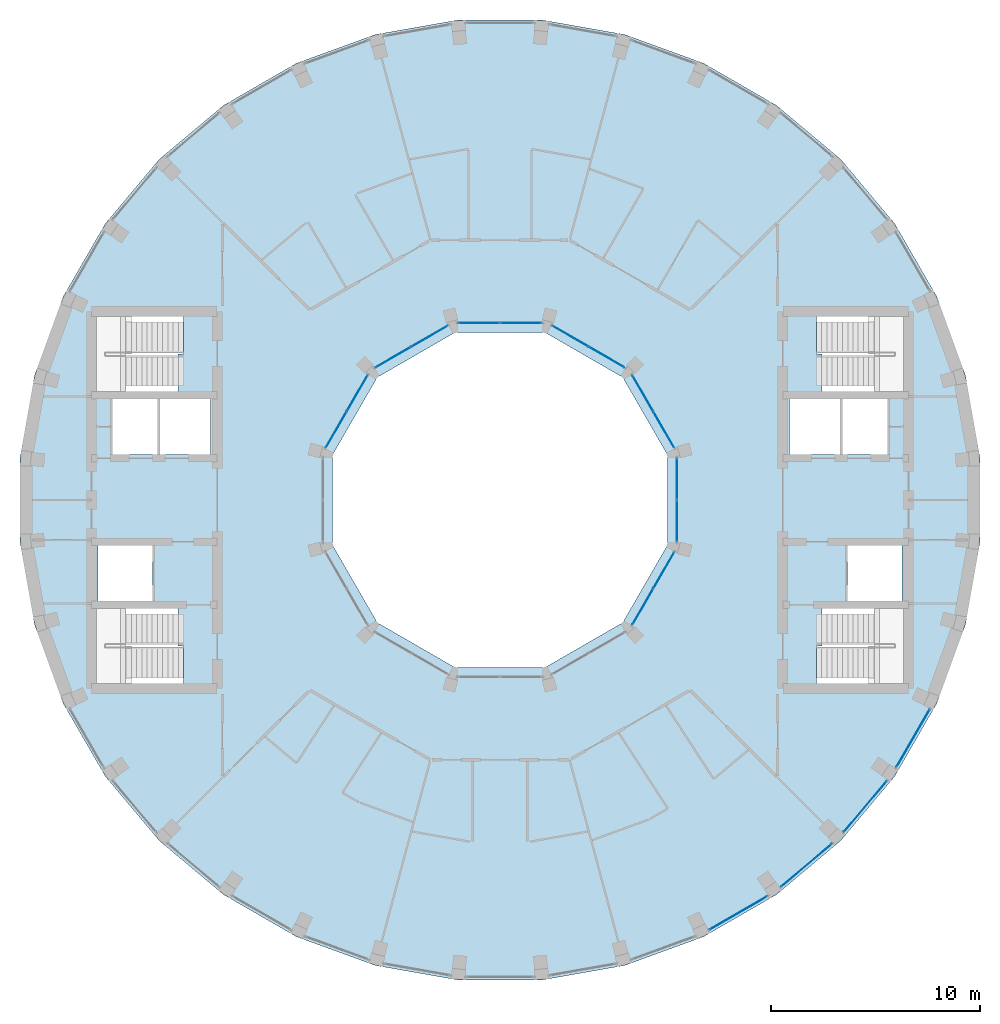
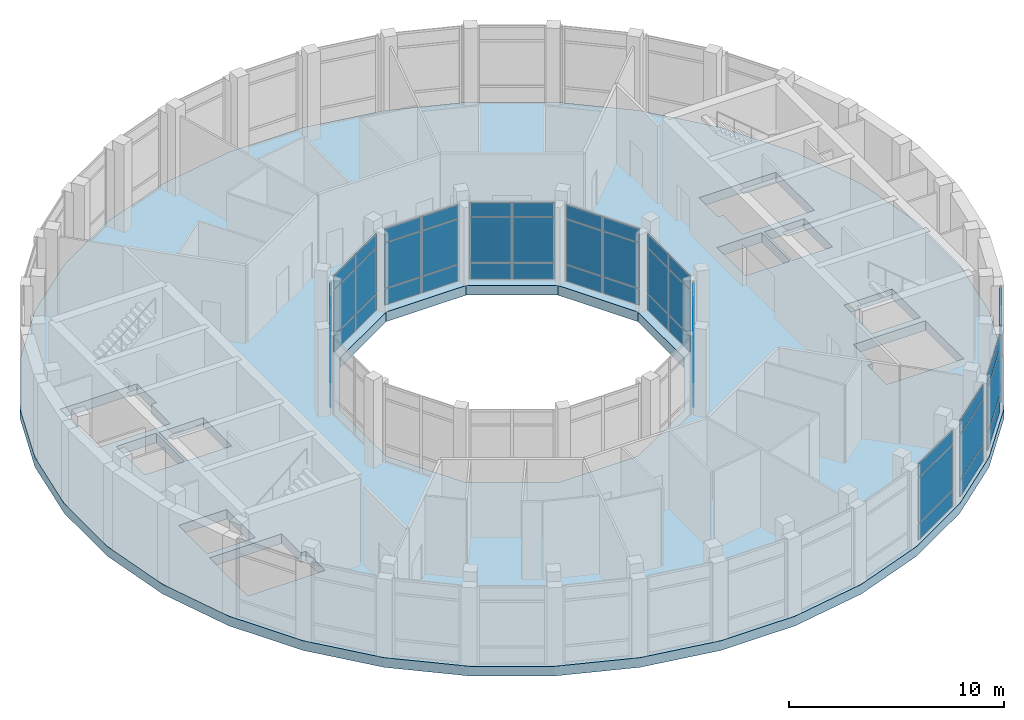
# One storey, part 9 of 16: 54 plates, 1 slab, 11 elements without a shape of their own.
"""IFC4 building model written with IfcOpenShell, lengths in metres."""

from ifc_helpers import new_model, si_unit, direction, frame, origin, origin_2d, place, context, subcontext, project, spatial, polyline, rectangle, outline, extrude, material, layer, layer_set, type_object, element, aggregate, save


model = new_model("IFC4")

# Units and contexts
model_context = context("Model", 3, precision=1e-05, world=origin(), true_north=direction((0.0, 1.0)))
body_context = subcontext(model_context, "Body", "Model", "MODEL_VIEW")
ifc_project = project(units=[si_unit("LENGTHUNIT", "METRE"), si_unit("AREAUNIT", "SQUARE_METRE"), si_unit("VOLUMEUNIT", "CUBIC_METRE"), si_unit("PLANEANGLEUNIT", "RADIAN"), si_unit("MASSUNIT", "GRAM", prefix="KILO")], contexts=[model_context])

# Site, building, storey
site_placement = place(None, origin())
site = spatial("IfcSite", under=ifc_project, at=site_placement, CompositionType="ELEMENT")
building_placement = place(site_placement, origin())
building = spatial("IfcBuilding", under=site, at=building_placement, Name="Saqina Gate Tower", CompositionType="ELEMENT")
storey_placement = place(building_placement, frame((0.0, 0.0, 279.199951171875)))
storey = spatial("IfcBuildingStorey", under=building, at=storey_placement, Name="L80", CompositionType="ELEMENT", Elevation=279.199951171875)

# Curtain wall, plates
ifc_material_1 = material(Name="Aluminium glazing", Category="aluminium")
ifc_layer_1 = layer(ifc_material_1, 0.159912109375)
ifc_layer_set_1 = layer_set([ifc_layer_1], Name="CWT-2")
curtain_wall_type_1 = type_object("IfcCurtainWallType", Name="CWT-2", PredefinedType="NOTDEFINED", material=ifc_layer_set_1)
curtain_wall_1_placement = place(storey_placement, origin())
curtain_wall_1 = element("IfcCurtainWall", 1, at=curtain_wall_1_placement, inside=storey, type_object=curtain_wall_type_1, Name="Sky lounge glazing facet 30", PredefinedType="NOTDEFINED")
ifc_material_2 = material(Name="Glass", Category="glass")
ifc_layer_2 = layer(ifc_material_2, 0.028076171875)
ifc_layer_set_2 = layer_set([ifc_layer_2], Name="CWT-2P")
plate_type_1 = type_object("IfcPlateType", Name="CWT-2P", PredefinedType="CURTAIN_PANEL", material=ifc_layer_set_2)
plate_1_placement = place(storey_placement, frame((11.38134765625, -19.712890625, 0.06005859375), z_axis=(0.0, 0.0, 1.0), x_axis=(0.8660355365, 0.499982449212, 0.0)))
plate_1 = element("IfcPlate", 2, at=plate_1_placement, type_object=plate_type_1, Name="CW2-30 panel 1.1", PredefinedType="CURTAIN_PANEL", context=body_context, shape_type="SweptSolid", body=[
    extrude(rectangle(XDim=3.1318359375, YDim=0.028076171875, at=origin_2d()), origin(), (0.0, 0.0, 1.0), 0.909912109375),
])
plate_2_placement = place(storey_placement, frame((11.38134765625, -19.712890625, 1.030029296875), z_axis=(0.0, 0.0, 1.0), x_axis=(0.8660355365, 0.499982449212, 0.0)))
plate_2 = element("IfcPlate", 3, at=plate_2_placement, type_object=plate_type_1, Name="CW2-30 panel 1.2", PredefinedType="CURTAIN_PANEL", context=body_context, shape_type="SweptSolid", body=[
    extrude(rectangle(XDim=3.1318359375, YDim=0.028076171875, at=origin_2d()), origin(), (0.0, 0.0, 1.0), 2.5400390625),
])
plate_3_placement = place(storey_placement, frame((11.38134765625, -19.712890625, 3.6298828125), z_axis=(0.0, 0.0, 1.0), x_axis=(0.8660355365, 0.499982449212, 0.0)))
plate_3 = element("IfcPlate", 4, at=plate_3_placement, type_object=plate_type_1, Name="CW2-30 panel 1.3", PredefinedType="CURTAIN_PANEL", context=body_context, shape_type="SweptSolid", body=[
    extrude(rectangle(XDim=3.1318359375, YDim=0.028076171875, at=origin_2d()), origin(), (0.0, 0.0, 1.0), 0.760009765625),
])
aggregate(curtain_wall_1, [plate_1, plate_2, plate_3])

curtain_wall_2_placement = place(storey_placement, origin())
curtain_wall_2 = element("IfcCurtainWall", 5, at=curtain_wall_2_placement, inside=storey, type_object=curtain_wall_type_1, Name="Sky lounge glazing facet 31", PredefinedType="NOTDEFINED")
plate_4_placement = place(storey_placement, frame((14.63134765625, -17.43701171875, 0.06005859375), z_axis=(0.0, 0.0, 1.0), x_axis=(0.766046452821, 0.642785214609, 0.0)))
plate_4 = element("IfcPlate", 6, at=plate_4_placement, type_object=plate_type_1, Name="CW2-31 panel 1.1", PredefinedType="CURTAIN_PANEL", context=body_context, shape_type="SweptSolid", body=[
    extrude(rectangle(XDim=3.131591796875, YDim=0.028076171875, at=origin_2d()), origin(), (0.0, 0.0, 1.0), 0.909912109375),
])
plate_5_placement = place(storey_placement, frame((14.63134765625, -17.43701171875, 1.030029296875), z_axis=(0.0, 0.0, 1.0), x_axis=(0.766046452821, 0.642785214609, 0.0)))
plate_5 = element("IfcPlate", 7, at=plate_5_placement, type_object=plate_type_1, Name="CW2-31 panel 1.2", PredefinedType="CURTAIN_PANEL", context=body_context, shape_type="SweptSolid", body=[
    extrude(rectangle(XDim=3.131591796875, YDim=0.028076171875, at=origin_2d()), origin(), (0.0, 0.0, 1.0), 2.5400390625),
])
plate_6_placement = place(storey_placement, frame((14.63134765625, -17.43701171875, 3.6298828125), z_axis=(0.0, 0.0, 1.0), x_axis=(0.766046452821, 0.642785214609, 0.0)))
plate_6 = element("IfcPlate", 8, at=plate_6_placement, type_object=plate_type_1, Name="CW2-31 panel 1.3", PredefinedType="CURTAIN_PANEL", context=body_context, shape_type="SweptSolid", body=[
    extrude(rectangle(XDim=3.131591796875, YDim=0.028076171875, at=origin_2d()), origin(), (0.0, 0.0, 1.0), 0.760009765625),
])
aggregate(curtain_wall_2, [plate_4, plate_5, plate_6])

curtain_wall_3_placement = place(storey_placement, origin())
curtain_wall_3 = element("IfcCurtainWall", 9, at=curtain_wall_3_placement, inside=storey, type_object=curtain_wall_type_1, Name="Sky lounge glazing facet 32", PredefinedType="NOTDEFINED")
plate_7_placement = place(storey_placement, frame((17.43701171875, -14.63134765625, 0.06005859375), z_axis=(0.0, 0.0, 1.0), x_axis=(0.642785214609, 0.766046452821, 0.0)))
plate_7 = element("IfcPlate", 10, at=plate_7_placement, type_object=plate_type_1, Name="CW2-32 panel 1.1", PredefinedType="CURTAIN_PANEL", context=body_context, shape_type="SweptSolid", body=[
    extrude(rectangle(XDim=3.131591796875, YDim=0.028076171875, at=origin_2d()), origin(), (0.0, 0.0, 1.0), 0.909912109375),
])
plate_8_placement = place(storey_placement, frame((17.43701171875, -14.63134765625, 1.030029296875), z_axis=(0.0, 0.0, 1.0), x_axis=(0.642785214609, 0.766046452821, 0.0)))
plate_8 = element("IfcPlate", 11, at=plate_8_placement, type_object=plate_type_1, Name="CW2-32 panel 1.2", PredefinedType="CURTAIN_PANEL", context=body_context, shape_type="SweptSolid", body=[
    extrude(rectangle(XDim=3.131591796875, YDim=0.028076171875, at=origin_2d()), origin(), (0.0, 0.0, 1.0), 2.5400390625),
])
plate_9_placement = place(storey_placement, frame((17.43701171875, -14.63134765625, 3.6298828125), z_axis=(0.0, 0.0, 1.0), x_axis=(0.642785214609, 0.766046452821, 0.0)))
plate_9 = element("IfcPlate", 12, at=plate_9_placement, type_object=plate_type_1, Name="CW2-32 panel 1.3", PredefinedType="CURTAIN_PANEL", context=body_context, shape_type="SweptSolid", body=[
    extrude(rectangle(XDim=3.131591796875, YDim=0.028076171875, at=origin_2d()), origin(), (0.0, 0.0, 1.0), 0.760009765625),
])
aggregate(curtain_wall_3, [plate_7, plate_8, plate_9])

curtain_wall_4_placement = place(storey_placement, origin())
curtain_wall_4 = element("IfcCurtainWall", 13, at=curtain_wall_4_placement, inside=storey, type_object=curtain_wall_type_1, Name="Sky lounge glazing facet 33", PredefinedType="NOTDEFINED")
plate_10_placement = place(storey_placement, frame((19.712890625, -11.38134765625, 0.06005859375), z_axis=(0.0, 0.0, 1.0), x_axis=(0.499982449212, 0.8660355365, 0.0)))
plate_10 = element("IfcPlate", 14, at=plate_10_placement, type_object=plate_type_1, Name="CW2-33 panel 1.1", PredefinedType="CURTAIN_PANEL", context=body_context, shape_type="SweptSolid", body=[
    extrude(rectangle(XDim=3.1318359375, YDim=0.028076171875, at=origin_2d()), origin(), (0.0, 0.0, 1.0), 0.909912109375),
])
plate_11_placement = place(storey_placement, frame((19.712890625, -11.38134765625, 1.030029296875), z_axis=(0.0, 0.0, 1.0), x_axis=(0.499982449212, 0.8660355365, 0.0)))
plate_11 = element("IfcPlate", 15, at=plate_11_placement, type_object=plate_type_1, Name="CW2-33 panel 1.2", PredefinedType="CURTAIN_PANEL", context=body_context, shape_type="SweptSolid", body=[
    extrude(rectangle(XDim=3.1318359375, YDim=0.028076171875, at=origin_2d()), origin(), (0.0, 0.0, 1.0), 2.5400390625),
])
plate_12_placement = place(storey_placement, frame((19.712890625, -11.38134765625, 3.6298828125), z_axis=(0.0, 0.0, 1.0), x_axis=(0.499982449212, 0.8660355365, 0.0)))
plate_12 = element("IfcPlate", 16, at=plate_12_placement, type_object=plate_type_1, Name="CW2-33 panel 1.3", PredefinedType="CURTAIN_PANEL", context=body_context, shape_type="SweptSolid", body=[
    extrude(rectangle(XDim=3.1318359375, YDim=0.028076171875, at=origin_2d()), origin(), (0.0, 0.0, 1.0), 0.760009765625),
])
aggregate(curtain_wall_4, [plate_10, plate_11, plate_12])

ifc_material_3 = material(Name="Aluminium glazing", Category="aluminium")
ifc_layer_3 = layer(ifc_material_3, 0.159912109375)
ifc_layer_set_3 = layer_set([ifc_layer_3], Name="CWT-3")
curtain_wall_type_2 = type_object("IfcCurtainWallType", Name="CWT-3", PredefinedType="NOTDEFINED", material=ifc_layer_set_3)
curtain_wall_5_placement = place(storey_placement, origin())
curtain_wall_5 = element("IfcCurtainWall", 17, at=curtain_wall_5_placement, inside=storey, type_object=curtain_wall_type_2, Name="Sky lounge well glazing L80 facet 1", PredefinedType="NOTDEFINED")
ifc_material_4 = material(Name="Glass", Category="glass")
ifc_layer_4 = layer(ifc_material_4, 0.028076171875)
ifc_layer_set_4 = layer_set([ifc_layer_4], Name="CWT-3P")
plate_type_2 = type_object("IfcPlateType", Name="CWT-3P", PredefinedType="CURTAIN_PANEL", material=ifc_layer_set_4)
plate_13_placement = place(storey_placement, frame((7.81787109375, 3.359130859375, 0.06005859375), z_axis=(0.0, 0.0, 1.0), x_axis=(-0.500002550729, 0.866023931115, 0.0)))
plate_13 = element("IfcPlate", 18, at=plate_13_placement, type_object=plate_type_2, Name="CW3-01 panel 1.1", PredefinedType="CURTAIN_PANEL", context=body_context, shape_type="SweptSolid", body=[
    extrude(rectangle(XDim=1.939453125, YDim=0.028076171875, at=origin_2d()), origin(), (0.0, 0.0, 1.0), 0.909912109375),
])
plate_14_placement = place(storey_placement, frame((7.81787109375, 3.359130859375, 1.030029296875), z_axis=(0.0, 0.0, 1.0), x_axis=(-0.500002550729, 0.866023931115, 0.0)))
plate_14 = element("IfcPlate", 19, at=plate_14_placement, type_object=plate_type_2, Name="CW3-01 panel 1.2", PredefinedType="CURTAIN_PANEL", context=body_context, shape_type="SweptSolid", body=[
    extrude(rectangle(XDim=1.939453125, YDim=0.028076171875, at=origin_2d()), origin(), (0.0, 0.0, 1.0), 2.5400390625),
])
plate_15_placement = place(storey_placement, frame((7.81787109375, 3.359130859375, 3.6298828125), z_axis=(0.0, 0.0, 1.0), x_axis=(-0.500002550729, 0.866023931115, 0.0)))
plate_15 = element("IfcPlate", 20, at=plate_15_placement, type_object=plate_type_2, Name="CW3-01 panel 1.3", PredefinedType="CURTAIN_PANEL", context=body_context, shape_type="SweptSolid", body=[
    extrude(rectangle(XDim=1.939453125, YDim=0.028076171875, at=origin_2d()), origin(), (0.0, 0.0, 1.0), 0.760009765625),
])
plate_16_placement = place(storey_placement, frame((6.818115234375, 5.0908203125, 0.06005859375), z_axis=(0.0, 0.0, 1.0), x_axis=(-0.500002550729, 0.866023931115, 0.0)))
plate_16 = element("IfcPlate", 21, at=plate_16_placement, type_object=plate_type_2, Name="CW3-01 panel 2.1", PredefinedType="CURTAIN_PANEL", context=body_context, shape_type="SweptSolid", body=[
    extrude(rectangle(XDim=1.939453125, YDim=0.028076171875, at=origin_2d()), origin(), (0.0, 0.0, 1.0), 0.909912109375),
])
plate_17_placement = place(storey_placement, frame((6.818115234375, 5.0908203125, 1.030029296875), z_axis=(0.0, 0.0, 1.0), x_axis=(-0.500002550729, 0.866023931115, 0.0)))
plate_17 = element("IfcPlate", 22, at=plate_17_placement, type_object=plate_type_2, Name="CW3-01 panel 2.2", PredefinedType="CURTAIN_PANEL", context=body_context, shape_type="SweptSolid", body=[
    extrude(rectangle(XDim=1.939453125, YDim=0.028076171875, at=origin_2d()), origin(), (0.0, 0.0, 1.0), 2.5400390625),
])
plate_18_placement = place(storey_placement, frame((6.818115234375, 5.0908203125, 3.6298828125), z_axis=(0.0, 0.0, 1.0), x_axis=(-0.500002550729, 0.866023931115, 0.0)))
plate_18 = element("IfcPlate", 23, at=plate_18_placement, type_object=plate_type_2, Name="CW3-01 panel 2.3", PredefinedType="CURTAIN_PANEL", context=body_context, shape_type="SweptSolid", body=[
    extrude(rectangle(XDim=1.939453125, YDim=0.028076171875, at=origin_2d()), origin(), (0.0, 0.0, 1.0), 0.760009765625),
])
aggregate(curtain_wall_5, [plate_13, plate_14, plate_15, plate_16, plate_17, plate_18])

curtain_wall_6_placement = place(storey_placement, origin())
curtain_wall_6 = element("IfcCurtainWall", 24, at=curtain_wall_6_placement, inside=storey, type_object=curtain_wall_type_2, Name="Sky lounge well glazing L80 facet 2", PredefinedType="NOTDEFINED")
plate_19_placement = place(storey_placement, frame((5.0908203125, 6.818115234375, 0.06005859375), z_axis=(0.0, 0.0, 1.0), x_axis=(-0.866023931115, 0.500002550729, 0.0)))
plate_19 = element("IfcPlate", 25, at=plate_19_placement, type_object=plate_type_2, Name="CW3-02 panel 1.1", PredefinedType="CURTAIN_PANEL", context=body_context, shape_type="SweptSolid", body=[
    extrude(rectangle(XDim=1.939453125, YDim=0.028076171875, at=origin_2d()), origin(), (0.0, 0.0, 1.0), 0.909912109375),
])
plate_20_placement = place(storey_placement, frame((5.0908203125, 6.818115234375, 1.030029296875), z_axis=(0.0, 0.0, 1.0), x_axis=(-0.866023931115, 0.500002550729, 0.0)))
plate_20 = element("IfcPlate", 26, at=plate_20_placement, type_object=plate_type_2, Name="CW3-02 panel 1.2", PredefinedType="CURTAIN_PANEL", context=body_context, shape_type="SweptSolid", body=[
    extrude(rectangle(XDim=1.939453125, YDim=0.028076171875, at=origin_2d()), origin(), (0.0, 0.0, 1.0), 2.5400390625),
])
plate_21_placement = place(storey_placement, frame((5.0908203125, 6.818115234375, 3.6298828125), z_axis=(0.0, 0.0, 1.0), x_axis=(-0.866023931115, 0.500002550729, 0.0)))
plate_21 = element("IfcPlate", 27, at=plate_21_placement, type_object=plate_type_2, Name="CW3-02 panel 1.3", PredefinedType="CURTAIN_PANEL", context=body_context, shape_type="SweptSolid", body=[
    extrude(rectangle(XDim=1.939453125, YDim=0.028076171875, at=origin_2d()), origin(), (0.0, 0.0, 1.0), 0.760009765625),
])
plate_22_placement = place(storey_placement, frame((3.359130859375, 7.81787109375, 0.06005859375), z_axis=(0.0, 0.0, 1.0), x_axis=(-0.866023931115, 0.500002550729, 0.0)))
plate_22 = element("IfcPlate", 28, at=plate_22_placement, type_object=plate_type_2, Name="CW3-02 panel 2.1", PredefinedType="CURTAIN_PANEL", context=body_context, shape_type="SweptSolid", body=[
    extrude(rectangle(XDim=1.939453125, YDim=0.028076171875, at=origin_2d()), origin(), (0.0, 0.0, 1.0), 0.909912109375),
])
plate_23_placement = place(storey_placement, frame((3.359130859375, 7.81787109375, 1.030029296875), z_axis=(0.0, 0.0, 1.0), x_axis=(-0.866023931115, 0.500002550729, 0.0)))
plate_23 = element("IfcPlate", 29, at=plate_23_placement, type_object=plate_type_2, Name="CW3-02 panel 2.2", PredefinedType="CURTAIN_PANEL", context=body_context, shape_type="SweptSolid", body=[
    extrude(rectangle(XDim=1.939453125, YDim=0.028076171875, at=origin_2d()), origin(), (0.0, 0.0, 1.0), 2.5400390625),
])
plate_24_placement = place(storey_placement, frame((3.359130859375, 7.81787109375, 3.6298828125), z_axis=(0.0, 0.0, 1.0), x_axis=(-0.866023931115, 0.500002550729, 0.0)))
plate_24 = element("IfcPlate", 30, at=plate_24_placement, type_object=plate_type_2, Name="CW3-02 panel 2.3", PredefinedType="CURTAIN_PANEL", context=body_context, shape_type="SweptSolid", body=[
    extrude(rectangle(XDim=1.939453125, YDim=0.028076171875, at=origin_2d()), origin(), (0.0, 0.0, 1.0), 0.760009765625),
])
aggregate(curtain_wall_6, [plate_19, plate_20, plate_21, plate_22, plate_23, plate_24])

curtain_wall_7_placement = place(storey_placement, origin())
curtain_wall_7 = element("IfcCurtainWall", 31, at=curtain_wall_7_placement, inside=storey, type_object=curtain_wall_type_2, Name="Sky lounge well glazing L80 facet 3", PredefinedType="NOTDEFINED")
plate_25_placement = place(storey_placement, frame((0.999755859375, 8.449951171875, 0.06005859375), z_axis=(0.0, 0.0, 1.0), x_axis=(-1.0, 0.0, 0.0)))
plate_25 = element("IfcPlate", 32, at=plate_25_placement, type_object=plate_type_2, Name="CW3-03 panel 1.1", PredefinedType="CURTAIN_PANEL", context=body_context, shape_type="SweptSolid", body=[
    extrude(rectangle(XDim=1.939453125, YDim=0.028076171875, at=origin_2d()), origin(), (0.0, 0.0, 1.0), 0.909912109375),
])
plate_26_placement = place(storey_placement, frame((0.999755859375, 8.449951171875, 1.030029296875), z_axis=(0.0, 0.0, 1.0), x_axis=(-1.0, 0.0, 0.0)))
plate_26 = element("IfcPlate", 33, at=plate_26_placement, type_object=plate_type_2, Name="CW3-03 panel 1.2", PredefinedType="CURTAIN_PANEL", context=body_context, shape_type="SweptSolid", body=[
    extrude(rectangle(XDim=1.939453125, YDim=0.028076171875, at=origin_2d()), origin(), (0.0, 0.0, 1.0), 2.5400390625),
])
plate_27_placement = place(storey_placement, frame((0.999755859375, 8.449951171875, 3.6298828125), z_axis=(0.0, 0.0, 1.0), x_axis=(-1.0, 0.0, 0.0)))
plate_27 = element("IfcPlate", 34, at=plate_27_placement, type_object=plate_type_2, Name="CW3-03 panel 1.3", PredefinedType="CURTAIN_PANEL", context=body_context, shape_type="SweptSolid", body=[
    extrude(rectangle(XDim=1.939453125, YDim=0.028076171875, at=origin_2d()), origin(), (0.0, 0.0, 1.0), 0.760009765625),
])
plate_28_placement = place(storey_placement, frame((-0.999755859375, 8.449951171875, 0.06005859375), z_axis=(0.0, 0.0, 1.0), x_axis=(-1.0, 0.0, 0.0)))
plate_28 = element("IfcPlate", 35, at=plate_28_placement, type_object=plate_type_2, Name="CW3-03 panel 2.1", PredefinedType="CURTAIN_PANEL", context=body_context, shape_type="SweptSolid", body=[
    extrude(rectangle(XDim=1.939453125, YDim=0.028076171875, at=origin_2d()), origin(), (0.0, 0.0, 1.0), 0.909912109375),
])
plate_29_placement = place(storey_placement, frame((-0.999755859375, 8.449951171875, 1.030029296875), z_axis=(0.0, 0.0, 1.0), x_axis=(-1.0, 0.0, 0.0)))
plate_29 = element("IfcPlate", 36, at=plate_29_placement, type_object=plate_type_2, Name="CW3-03 panel 2.2", PredefinedType="CURTAIN_PANEL", context=body_context, shape_type="SweptSolid", body=[
    extrude(rectangle(XDim=1.939453125, YDim=0.028076171875, at=origin_2d()), origin(), (0.0, 0.0, 1.0), 2.5400390625),
])
plate_30_placement = place(storey_placement, frame((-0.999755859375, 8.449951171875, 3.6298828125), z_axis=(0.0, 0.0, 1.0), x_axis=(-1.0, 0.0, 0.0)))
plate_30 = element("IfcPlate", 37, at=plate_30_placement, type_object=plate_type_2, Name="CW3-03 panel 2.3", PredefinedType="CURTAIN_PANEL", context=body_context, shape_type="SweptSolid", body=[
    extrude(rectangle(XDim=1.939453125, YDim=0.028076171875, at=origin_2d()), origin(), (0.0, 0.0, 1.0), 0.760009765625),
])
aggregate(curtain_wall_7, [plate_25, plate_26, plate_27, plate_28, plate_29, plate_30])

curtain_wall_8_placement = place(storey_placement, origin())
curtain_wall_8 = element("IfcCurtainWall", 38, at=curtain_wall_8_placement, inside=storey, type_object=curtain_wall_type_2, Name="Sky lounge well glazing L80 facet 4", PredefinedType="NOTDEFINED")
plate_31_placement = place(storey_placement, frame((-3.359130859375, 7.81787109375, 0.06005859375), z_axis=(0.0, 0.0, 1.0), x_axis=(-0.866023931115, -0.500002550729, 0.0)))
plate_31 = element("IfcPlate", 39, at=plate_31_placement, type_object=plate_type_2, Name="CW3-04 panel 1.1", PredefinedType="CURTAIN_PANEL", context=body_context, shape_type="SweptSolid", body=[
    extrude(rectangle(XDim=1.939453125, YDim=0.028076171875, at=origin_2d()), origin(), (0.0, 0.0, 1.0), 0.909912109375),
])
plate_32_placement = place(storey_placement, frame((-3.359130859375, 7.81787109375, 1.030029296875), z_axis=(0.0, 0.0, 1.0), x_axis=(-0.866023931115, -0.500002550729, 0.0)))
plate_32 = element("IfcPlate", 40, at=plate_32_placement, type_object=plate_type_2, Name="CW3-04 panel 1.2", PredefinedType="CURTAIN_PANEL", context=body_context, shape_type="SweptSolid", body=[
    extrude(rectangle(XDim=1.939453125, YDim=0.028076171875, at=origin_2d()), origin(), (0.0, 0.0, 1.0), 2.5400390625),
])
plate_33_placement = place(storey_placement, frame((-3.359130859375, 7.81787109375, 3.6298828125), z_axis=(0.0, 0.0, 1.0), x_axis=(-0.866023931115, -0.500002550729, 0.0)))
plate_33 = element("IfcPlate", 41, at=plate_33_placement, type_object=plate_type_2, Name="CW3-04 panel 1.3", PredefinedType="CURTAIN_PANEL", context=body_context, shape_type="SweptSolid", body=[
    extrude(rectangle(XDim=1.939453125, YDim=0.028076171875, at=origin_2d()), origin(), (0.0, 0.0, 1.0), 0.760009765625),
])
plate_34_placement = place(storey_placement, frame((-5.0908203125, 6.818115234375, 0.06005859375), z_axis=(0.0, 0.0, 1.0), x_axis=(-0.866023931115, -0.500002550729, 0.0)))
plate_34 = element("IfcPlate", 42, at=plate_34_placement, type_object=plate_type_2, Name="CW3-04 panel 2.1", PredefinedType="CURTAIN_PANEL", context=body_context, shape_type="SweptSolid", body=[
    extrude(rectangle(XDim=1.939453125, YDim=0.028076171875, at=origin_2d()), origin(), (0.0, 0.0, 1.0), 0.909912109375),
])
plate_35_placement = place(storey_placement, frame((-5.0908203125, 6.818115234375, 1.030029296875), z_axis=(0.0, 0.0, 1.0), x_axis=(-0.866023931115, -0.500002550729, 0.0)))
plate_35 = element("IfcPlate", 43, at=plate_35_placement, type_object=plate_type_2, Name="CW3-04 panel 2.2", PredefinedType="CURTAIN_PANEL", context=body_context, shape_type="SweptSolid", body=[
    extrude(rectangle(XDim=1.939453125, YDim=0.028076171875, at=origin_2d()), origin(), (0.0, 0.0, 1.0), 2.5400390625),
])
plate_36_placement = place(storey_placement, frame((-5.0908203125, 6.818115234375, 3.6298828125), z_axis=(0.0, 0.0, 1.0), x_axis=(-0.866023931115, -0.500002550729, 0.0)))
plate_36 = element("IfcPlate", 44, at=plate_36_placement, type_object=plate_type_2, Name="CW3-04 panel 2.3", PredefinedType="CURTAIN_PANEL", context=body_context, shape_type="SweptSolid", body=[
    extrude(rectangle(XDim=1.939453125, YDim=0.028076171875, at=origin_2d()), origin(), (0.0, 0.0, 1.0), 0.760009765625),
])
aggregate(curtain_wall_8, [plate_31, plate_32, plate_33, plate_34, plate_35, plate_36])

curtain_wall_9_placement = place(storey_placement, origin())
curtain_wall_9 = element("IfcCurtainWall", 45, at=curtain_wall_9_placement, inside=storey, type_object=curtain_wall_type_2, Name="Sky lounge well glazing L80 facet 5", PredefinedType="NOTDEFINED")
plate_37_placement = place(storey_placement, frame((-6.818115234375, 5.0908203125, 0.06005859375), z_axis=(0.0, 0.0, 1.0), x_axis=(-0.500002550729, -0.866023931115, 0.0)))
plate_37 = element("IfcPlate", 46, at=plate_37_placement, type_object=plate_type_2, Name="CW3-05 panel 1.1", PredefinedType="CURTAIN_PANEL", context=body_context, shape_type="SweptSolid", body=[
    extrude(rectangle(XDim=1.939453125, YDim=0.028076171875, at=origin_2d()), origin(), (0.0, 0.0, 1.0), 0.909912109375),
])
plate_38_placement = place(storey_placement, frame((-6.818115234375, 5.0908203125, 1.030029296875), z_axis=(0.0, 0.0, 1.0), x_axis=(-0.500002550729, -0.866023931115, 0.0)))
plate_38 = element("IfcPlate", 47, at=plate_38_placement, type_object=plate_type_2, Name="CW3-05 panel 1.2", PredefinedType="CURTAIN_PANEL", context=body_context, shape_type="SweptSolid", body=[
    extrude(rectangle(XDim=1.939453125, YDim=0.028076171875, at=origin_2d()), origin(), (0.0, 0.0, 1.0), 2.5400390625),
])
plate_39_placement = place(storey_placement, frame((-6.818115234375, 5.0908203125, 3.6298828125), z_axis=(0.0, 0.0, 1.0), x_axis=(-0.500002550729, -0.866023931115, 0.0)))
plate_39 = element("IfcPlate", 48, at=plate_39_placement, type_object=plate_type_2, Name="CW3-05 panel 1.3", PredefinedType="CURTAIN_PANEL", context=body_context, shape_type="SweptSolid", body=[
    extrude(rectangle(XDim=1.939453125, YDim=0.028076171875, at=origin_2d()), origin(), (0.0, 0.0, 1.0), 0.760009765625),
])
plate_40_placement = place(storey_placement, frame((-7.81787109375, 3.359130859375, 0.06005859375), z_axis=(0.0, 0.0, 1.0), x_axis=(-0.500002550729, -0.866023931115, 0.0)))
plate_40 = element("IfcPlate", 49, at=plate_40_placement, type_object=plate_type_2, Name="CW3-05 panel 2.1", PredefinedType="CURTAIN_PANEL", context=body_context, shape_type="SweptSolid", body=[
    extrude(rectangle(XDim=1.939453125, YDim=0.028076171875, at=origin_2d()), origin(), (0.0, 0.0, 1.0), 0.909912109375),
])
plate_41_placement = place(storey_placement, frame((-7.81787109375, 3.359130859375, 1.030029296875), z_axis=(0.0, 0.0, 1.0), x_axis=(-0.500002550729, -0.866023931115, 0.0)))
plate_41 = element("IfcPlate", 50, at=plate_41_placement, type_object=plate_type_2, Name="CW3-05 panel 2.2", PredefinedType="CURTAIN_PANEL", context=body_context, shape_type="SweptSolid", body=[
    extrude(rectangle(XDim=1.939453125, YDim=0.028076171875, at=origin_2d()), origin(), (0.0, 0.0, 1.0), 2.5400390625),
])
plate_42_placement = place(storey_placement, frame((-7.81787109375, 3.359130859375, 3.6298828125), z_axis=(0.0, 0.0, 1.0), x_axis=(-0.500002550729, -0.866023931115, 0.0)))
plate_42 = element("IfcPlate", 51, at=plate_42_placement, type_object=plate_type_2, Name="CW3-05 panel 2.3", PredefinedType="CURTAIN_PANEL", context=body_context, shape_type="SweptSolid", body=[
    extrude(rectangle(XDim=1.939453125, YDim=0.028076171875, at=origin_2d()), origin(), (0.0, 0.0, 1.0), 0.760009765625),
])
aggregate(curtain_wall_9, [plate_37, plate_38, plate_39, plate_40, plate_41, plate_42])

curtain_wall_10_placement = place(storey_placement, origin())
curtain_wall_10 = element("IfcCurtainWall", 52, at=curtain_wall_10_placement, inside=storey, type_object=curtain_wall_type_2, Name="Sky lounge well glazing L80 facet 11", PredefinedType="NOTDEFINED")
plate_43_placement = place(storey_placement, frame((6.818115234375, -5.0908203125, 0.06005859375), z_axis=(0.0, 0.0, 1.0), x_axis=(0.500002550729, 0.866023931115, 0.0)))
plate_43 = element("IfcPlate", 53, at=plate_43_placement, type_object=plate_type_2, Name="CW3-11 panel 1.1", PredefinedType="CURTAIN_PANEL", context=body_context, shape_type="SweptSolid", body=[
    extrude(rectangle(XDim=1.939453125, YDim=0.028076171875, at=origin_2d()), origin(), (0.0, 0.0, 1.0), 0.909912109375),
])
plate_44_placement = place(storey_placement, frame((6.818115234375, -5.0908203125, 1.030029296875), z_axis=(0.0, 0.0, 1.0), x_axis=(0.500002550729, 0.866023931115, 0.0)))
plate_44 = element("IfcPlate", 54, at=plate_44_placement, type_object=plate_type_2, Name="CW3-11 panel 1.2", PredefinedType="CURTAIN_PANEL", context=body_context, shape_type="SweptSolid", body=[
    extrude(rectangle(XDim=1.939453125, YDim=0.028076171875, at=origin_2d()), origin(), (0.0, 0.0, 1.0), 2.5400390625),
])
plate_45_placement = place(storey_placement, frame((6.818115234375, -5.0908203125, 3.6298828125), z_axis=(0.0, 0.0, 1.0), x_axis=(0.500002550729, 0.866023931115, 0.0)))
plate_45 = element("IfcPlate", 55, at=plate_45_placement, type_object=plate_type_2, Name="CW3-11 panel 1.3", PredefinedType="CURTAIN_PANEL", context=body_context, shape_type="SweptSolid", body=[
    extrude(rectangle(XDim=1.939453125, YDim=0.028076171875, at=origin_2d()), origin(), (0.0, 0.0, 1.0), 0.760009765625),
])
plate_46_placement = place(storey_placement, frame((7.81787109375, -3.359130859375, 0.06005859375), z_axis=(0.0, 0.0, 1.0), x_axis=(0.500002550729, 0.866023931115, 0.0)))
plate_46 = element("IfcPlate", 56, at=plate_46_placement, type_object=plate_type_2, Name="CW3-11 panel 2.1", PredefinedType="CURTAIN_PANEL", context=body_context, shape_type="SweptSolid", body=[
    extrude(rectangle(XDim=1.939453125, YDim=0.028076171875, at=origin_2d()), origin(), (0.0, 0.0, 1.0), 0.909912109375),
])
plate_47_placement = place(storey_placement, frame((7.81787109375, -3.359130859375, 1.030029296875), z_axis=(0.0, 0.0, 1.0), x_axis=(0.500002550729, 0.866023931115, 0.0)))
plate_47 = element("IfcPlate", 57, at=plate_47_placement, type_object=plate_type_2, Name="CW3-11 panel 2.2", PredefinedType="CURTAIN_PANEL", context=body_context, shape_type="SweptSolid", body=[
    extrude(rectangle(XDim=1.939453125, YDim=0.028076171875, at=origin_2d()), origin(), (0.0, 0.0, 1.0), 2.5400390625),
])
plate_48_placement = place(storey_placement, frame((7.81787109375, -3.359130859375, 3.6298828125), z_axis=(0.0, 0.0, 1.0), x_axis=(0.500002550729, 0.866023931115, 0.0)))
plate_48 = element("IfcPlate", 58, at=plate_48_placement, type_object=plate_type_2, Name="CW3-11 panel 2.3", PredefinedType="CURTAIN_PANEL", context=body_context, shape_type="SweptSolid", body=[
    extrude(rectangle(XDim=1.939453125, YDim=0.028076171875, at=origin_2d()), origin(), (0.0, 0.0, 1.0), 0.760009765625),
])
aggregate(curtain_wall_10, [plate_43, plate_44, plate_45, plate_46, plate_47, plate_48])

curtain_wall_11_placement = place(storey_placement, origin())
curtain_wall_11 = element("IfcCurtainWall", 59, at=curtain_wall_11_placement, inside=storey, type_object=curtain_wall_type_2, Name="Sky lounge well glazing L80 facet 12", PredefinedType="NOTDEFINED")
plate_49_placement = place(storey_placement, frame((8.449951171875, -0.999755859375, 0.06005859375), z_axis=(0.0, 0.0, 1.0), x_axis=(0.0, 1.0, 0.0)))
plate_49 = element("IfcPlate", 60, at=plate_49_placement, type_object=plate_type_2, Name="CW3-12 panel 1.1", PredefinedType="CURTAIN_PANEL", context=body_context, shape_type="SweptSolid", body=[
    extrude(rectangle(XDim=1.939453125, YDim=0.028076171875, at=origin_2d()), origin(), (0.0, 0.0, 1.0), 0.909912109375),
])
plate_50_placement = place(storey_placement, frame((8.449951171875, -0.999755859375, 1.030029296875), z_axis=(0.0, 0.0, 1.0), x_axis=(0.0, 1.0, 0.0)))
plate_50 = element("IfcPlate", 61, at=plate_50_placement, type_object=plate_type_2, Name="CW3-12 panel 1.2", PredefinedType="CURTAIN_PANEL", context=body_context, shape_type="SweptSolid", body=[
    extrude(rectangle(XDim=1.939453125, YDim=0.028076171875, at=origin_2d()), origin(), (0.0, 0.0, 1.0), 2.5400390625),
])
plate_51_placement = place(storey_placement, frame((8.449951171875, -0.999755859375, 3.6298828125), z_axis=(0.0, 0.0, 1.0), x_axis=(0.0, 1.0, 0.0)))
plate_51 = element("IfcPlate", 62, at=plate_51_placement, type_object=plate_type_2, Name="CW3-12 panel 1.3", PredefinedType="CURTAIN_PANEL", context=body_context, shape_type="SweptSolid", body=[
    extrude(rectangle(XDim=1.939453125, YDim=0.028076171875, at=origin_2d()), origin(), (0.0, 0.0, 1.0), 0.760009765625),
])
plate_52_placement = place(storey_placement, frame((8.449951171875, 0.999755859375, 0.06005859375), z_axis=(0.0, 0.0, 1.0), x_axis=(0.0, 1.0, 0.0)))
plate_52 = element("IfcPlate", 63, at=plate_52_placement, type_object=plate_type_2, Name="CW3-12 panel 2.1", PredefinedType="CURTAIN_PANEL", context=body_context, shape_type="SweptSolid", body=[
    extrude(rectangle(XDim=1.939453125, YDim=0.028076171875, at=origin_2d()), origin(), (0.0, 0.0, 1.0), 0.909912109375),
])
plate_53_placement = place(storey_placement, frame((8.449951171875, 0.999755859375, 1.030029296875), z_axis=(0.0, 0.0, 1.0), x_axis=(0.0, 1.0, 0.0)))
plate_53 = element("IfcPlate", 64, at=plate_53_placement, type_object=plate_type_2, Name="CW3-12 panel 2.2", PredefinedType="CURTAIN_PANEL", context=body_context, shape_type="SweptSolid", body=[
    extrude(rectangle(XDim=1.939453125, YDim=0.028076171875, at=origin_2d()), origin(), (0.0, 0.0, 1.0), 2.5400390625),
])
plate_54_placement = place(storey_placement, frame((8.449951171875, 0.999755859375, 3.6298828125), z_axis=(0.0, 0.0, 1.0), x_axis=(0.0, 1.0, 0.0)))
plate_54 = element("IfcPlate", 65, at=plate_54_placement, type_object=plate_type_2, Name="CW3-12 panel 2.3", PredefinedType="CURTAIN_PANEL", context=body_context, shape_type="SweptSolid", body=[
    extrude(rectangle(XDim=1.939453125, YDim=0.028076171875, at=origin_2d()), origin(), (0.0, 0.0, 1.0), 0.760009765625),
])
aggregate(curtain_wall_11, [plate_49, plate_50, plate_51, plate_52, plate_53, plate_54])

# Slab
ifc_material_5 = material(Name="Concrete C40/50", Category="concrete")
ifc_layer_5 = layer(ifc_material_5, 0.550048828125)
ifc_layer_set_5 = layer_set([ifc_layer_5], Name="Concrete C40/50")
slab_type = type_object("IfcSlabType", Name="STR-POST-TENSIONED FLAT PLATE FLOOR-550", PredefinedType="FLOOR", material=ifc_layer_set_5)
slab_placement = place(storey_placement, frame((0.0, 0.0, -0.550048828125)))
element("IfcSlab", 66, at=slab_placement, inside=storey, type_object=slab_type, Name="L80-SLB01", PredefinedType="FLOOR", context=body_context, shape_type="SweptSolid", body=[
    extrude(outline(polyline([(22.21630859375, -5.952880859375), (22.91259765625, -2.004638671875), (22.91259765625, 2.004638671875), (22.21630859375, 5.952880859375), (20.844970703125, 9.72021484375), (18.840576171875, 13.192138671875), (16.263427734375, 16.263427734375), (13.192138671875, 18.840576171875), (9.72021484375, 20.844970703125), (5.952880859375, 22.21630859375), (2.004638671875, 22.91259765625), (-2.004638671875, 22.91259765625), (-5.952880859375, 22.21630859375), (-9.72021484375, 20.844970703125), (-13.192138671875, 18.840576171875), (-16.263427734375, 16.263427734375), (-18.840576171875, 13.192138671875), (-20.844970703125, 9.72021484375), (-22.21630859375, 5.952880859375), (-22.91259765625, 2.004638671875), (-22.91259765625, -2.004638671875), (-22.21630859375, -5.952880859375), (-20.844970703125, -9.72021484375), (-18.840576171875, -13.192138671875), (-16.263427734375, -16.263427734375), (-13.192138671875, -18.840576171875), (-9.72021484375, -20.844970703125), (-5.952880859375, -22.21630859375), (-2.004638671875, -22.91259765625), (2.004638671875, -22.91259765625), (5.952880859375, -22.21630859375), (9.72021484375, -20.844970703125), (13.192138671875, -18.840576171875), (16.263427734375, -16.263427734375), (18.840576171875, -13.192138671875), (20.844970703125, -9.72021484375), (22.21630859375, -5.952880859375)]), holes=[polyline([(2.1435546875, 8.0), (5.8564453125, 5.8564453125), (8.0, 2.1435546875), (8.0, -2.1435546875), (5.8564453125, -5.8564453125), (2.1435546875, -8.0), (-2.1435546875, -8.0), (-5.8564453125, -5.8564453125), (-8.0, -2.1435546875), (-8.0, 2.1435546875), (-5.8564453125, 5.8564453125), (-2.1435546875, 8.0), (2.1435546875, 8.0)]), polyline([(-15.10498046875, -8.75), (-19.25, -8.75), (-19.25, -6.96240234375), (-19.25, -5.175048828125), (-15.374267578125, -5.175048828125), (-15.374267578125, -6.96240234375), (-15.10498046875, -6.96240234375), (-15.10498046875, -8.75)]), polyline([(-16.590087890625, -2.175048828125), (-16.590087890625, -4.824951171875), (-19.18994140625, -4.824951171875), (-19.18994140625, -2.175048828125), (-16.590087890625, -2.175048828125)]), polyline([(-16.340087890625, 4.824951171875), (-16.340087890625, 2.175048828125), (-18.5, 2.175048828125), (-18.5, 4.824951171875), (-16.340087890625, 4.824951171875)]), polyline([(-13.81005859375, 4.824951171875), (-13.81005859375, 2.175048828125), (-16.219970703125, 2.175048828125), (-16.219970703125, 4.824951171875), (-13.81005859375, 4.824951171875)]), polyline([(-19.25, 6.96240234375), (-19.25, 8.75), (-15.10498046875, 8.75), (-15.10498046875, 6.96240234375), (-15.374267578125, 6.96240234375), (-15.374267578125, 5.175048828125), (-19.25, 5.175048828125), (-19.25, 6.96240234375)]), polyline([(15.10498046875, -8.75), (15.10498046875, -6.96240234375), (15.374267578125, -6.96240234375), (15.374267578125, -5.175048828125), (19.25, -5.175048828125), (19.25, -6.96240234375), (19.25, -8.75), (15.10498046875, -8.75)]), polyline([(19.18994140625, -2.175048828125), (19.18994140625, -4.824951171875), (16.590087890625, -4.824951171875), (16.590087890625, -2.175048828125), (19.18994140625, -2.175048828125)]), polyline([(16.219970703125, 4.824951171875), (16.219970703125, 2.175048828125), (13.81005859375, 2.175048828125), (13.81005859375, 4.824951171875), (16.219970703125, 4.824951171875)]), polyline([(18.5, 4.824951171875), (18.5, 2.175048828125), (16.340087890625, 2.175048828125), (16.340087890625, 4.824951171875), (18.5, 4.824951171875)]), polyline([(15.374267578125, 6.96240234375), (15.10498046875, 6.96240234375), (15.10498046875, 8.75), (19.25, 8.75), (19.25, 6.96240234375), (19.25, 5.175048828125), (15.374267578125, 5.175048828125), (15.374267578125, 6.96240234375)])]), origin(), (0.0, 0.0, 1.0), 0.550048828125),
])

save(model, "model.ifc")
